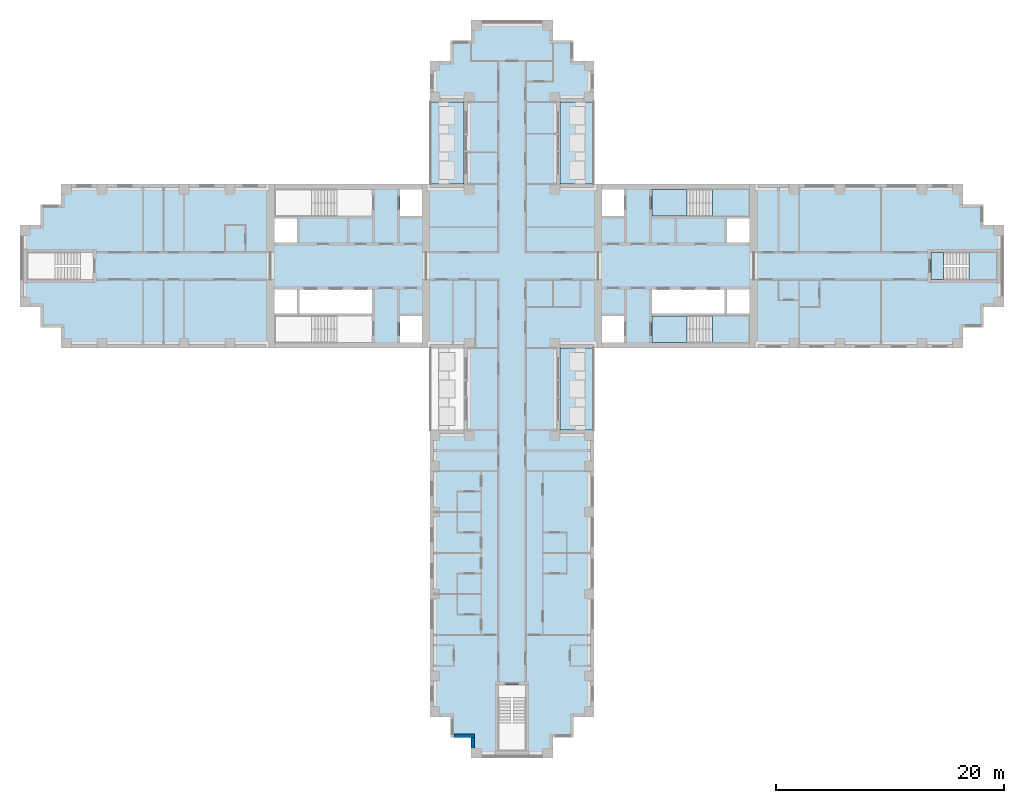
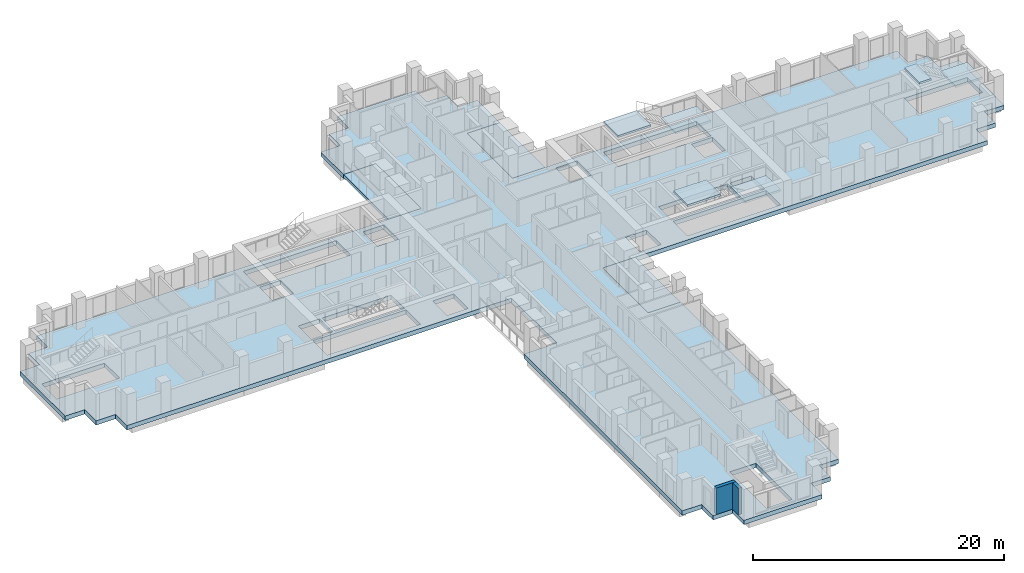
# One storey, part 2 of 13: 10 slabs, 2 walls, 3 elements without a shape of their own.
"""IFC4 building model written with IfcOpenShell, lengths in metres."""

from ifc_helpers import new_model, si_unit, direction, frame, frame_2d, origin, place, context, subcontext, project, spatial, polyline, rectangle, outline, extrude, material, layer, layer_set, type_object, element, aggregate, save


model = new_model("IFC4")

# Units and contexts
model_context = context("Model", 3, precision=1e-05, world=origin(), true_north=direction((0.0, 1.0)))
body_context = subcontext(model_context, "Body", "Model", "MODEL_VIEW")
ifc_project = project(units=[si_unit("LENGTHUNIT", "METRE"), si_unit("AREAUNIT", "SQUARE_METRE"), si_unit("VOLUMEUNIT", "CUBIC_METRE"), si_unit("PLANEANGLEUNIT", "RADIAN"), si_unit("MASSUNIT", "GRAM", prefix="KILO")], contexts=[model_context])

# Site, building, storey
site_placement = place(None, origin())
site = spatial("IfcSite", under=ifc_project, at=site_placement, CompositionType="ELEMENT")
building_placement = place(site_placement, origin())
building = spatial("IfcBuilding", under=site, at=building_placement, Name="Fustian Cross Tower", CompositionType="ELEMENT")
storey_placement = place(building_placement, frame((0.0, 0.0, 105.89990234375)))
storey = spatial("IfcBuildingStorey", under=building, at=storey_placement, Name="L33", CompositionType="ELEMENT", Elevation=105.89990234375)

# Slabs
ifc_material_1 = material(Name="Concrete C40/50", Category="concrete")
ifc_layer_1 = layer(ifc_material_1, 0.300048828125)
ifc_layer_set_1 = layer_set([ifc_layer_1], Name="Concrete C40/50")
slab_type_1 = type_object("IfcSlabType", Name="BS1 BALCONY SLAB 300", PredefinedType="FLOOR", material=ifc_layer_set_1)
slab_1_placement = place(storey_placement, frame((0.0, 0.0, -0.2998046875)))
element("IfcSlab", 1, at=slab_1_placement, inside=storey, type_object=slab_type_1, Name="Balcony slab", PredefinedType="FLOOR", context=body_context, shape_type="SweptSolid", body=[
    extrude(outline(polyline([(4.199951171875, 7.199951171875), (7.199951171875, 7.199951171875), (7.199951171875, 14.39990234375), (4.199951171875, 14.39990234375), (4.199951171875, 7.199951171875)])), origin(), (0.0, 0.0, 1.0), 0.2998046875),
])
slab_2_placement = place(storey_placement, frame((0.0, 0.0, -0.2998046875)))
element("IfcSlab", 2, at=slab_2_placement, inside=storey, type_object=slab_type_1, Name="Balcony slab", PredefinedType="FLOOR", context=body_context, shape_type="SweptSolid", body=[
    extrude(outline(polyline([(-7.199951171875, 7.199951171875), (-4.199951171875, 7.199951171875), (-4.199951171875, 14.39990234375), (-7.199951171875, 14.39990234375), (-7.199951171875, 7.199951171875)])), origin(), (0.0, 0.0, 1.0), 0.2998046875),
])
slab_3_placement = place(storey_placement, frame((0.0, 0.0, -0.2998046875)))
element("IfcSlab", 3, at=slab_3_placement, inside=storey, type_object=slab_type_1, Name="Balcony slab", PredefinedType="FLOOR", context=body_context, shape_type="SweptSolid", body=[
    extrude(outline(polyline([(4.199951171875, -14.39990234375), (7.199951171875, -14.39990234375), (7.199951171875, -7.199951171875), (4.199951171875, -7.199951171875), (4.199951171875, -14.39990234375)])), origin(), (0.0, 0.0, 1.0), 0.2998046875),
])
ifc_material_2 = material(Name="Concrete C40/50", Category="concrete")
ifc_layer_2 = layer(ifc_material_2, 0.425048828125)
ifc_layer_set_2 = layer_set([ifc_layer_2], Name="Concrete C40/50")
slab_type_2 = type_object("IfcSlabType", Name="FLAT SLAB 425", PredefinedType="FLOOR", material=ifc_layer_set_2)
slab_4_placement = place(storey_placement, frame((0.0, 0.0, -0.4248046875)))
element("IfcSlab", 4, at=slab_4_placement, inside=storey, type_object=slab_type_2, Name="FLOOR SLAB L33-1", PredefinedType="FLOOR", context=body_context, shape_type="SweptSolid", body=[
    extrude(outline(polyline([(-4.199951171875, -7.199951171875), (-39.60009765625, -7.199951171875), (-39.60009765625, -5.39990234375), (-41.39990234375, -5.39990234375), (-41.39990234375, -3.60009765625), (-43.199951171875, -3.60009765625), (-43.199951171875, 3.60009765625), (-41.39990234375, 3.60009765625), (-41.39990234375, 5.39990234375), (-39.60009765625, 5.39990234375), (-39.60009765625, 7.199951171875), (-4.199951171875, 7.199951171875), (-4.199951171875, 14.39990234375), (-7.199951171875, 14.39990234375), (-7.199951171875, 18.0), (-5.39990234375, 18.0), (-5.39990234375, 19.800048828125), (-3.60009765625, 19.800048828125), (-3.60009765625, 21.60009765625), (3.60009765625, 21.60009765625), (3.60009765625, 19.800048828125), (5.39990234375, 19.800048828125), (5.39990234375, 18.0), (7.199951171875, 18.0), (7.199951171875, 14.39990234375), (4.199951171875, 14.39990234375), (4.199951171875, 7.199951171875), (39.60009765625, 7.199951171875), (39.60009765625, 5.39990234375), (41.39990234375, 5.39990234375), (41.39990234375, 3.60009765625), (43.199951171875, 3.60009765625), (43.199951171875, -3.60009765625), (41.39990234375, -3.60009765625), (41.39990234375, -5.39990234375), (39.60009765625, -5.39990234375), (39.60009765625, -7.199951171875), (4.199951171875, -7.199951171875), (4.199951171875, -14.39990234375), (7.199951171875, -14.39990234375), (7.199951171875, -39.60009765625), (5.39990234375, -39.60009765625), (5.39990234375, -41.39990234375), (3.60009765625, -41.39990234375), (3.60009765625, -43.199951171875), (-3.60009765625, -43.199951171875), (-3.60009765625, -41.39990234375), (-5.39990234375, -41.39990234375), (-5.39990234375, -39.60009765625), (-7.199951171875, -39.60009765625), (-7.199951171875, -14.39990234375), (-4.199951171875, -14.39990234375), (-4.199951171875, -7.199951171875)]), holes=[polyline([(20.85009765625, -2.050048828125), (18.89990234375, -2.050048828125), (18.89990234375, -4.14990234375), (20.85009765625, -4.14990234375), (20.85009765625, -2.050048828125)]), polyline([(20.85009765625, 2.050048828125), (20.85009765625, 4.14990234375), (18.89990234375, 4.14990234375), (18.89990234375, 2.050048828125), (20.85009765625, 2.050048828125)]), polyline([(7.89990234375, 4.39990234375), (9.85009765625, 4.39990234375), (9.85009765625, 6.699951171875), (7.89990234375, 6.699951171875), (7.89990234375, 4.39990234375)]), polyline([(7.89990234375, -4.39990234375), (7.89990234375, -6.699951171875), (9.85009765625, -6.699951171875), (9.85009765625, -4.39990234375), (7.89990234375, -4.39990234375)]), polyline([(-18.89990234375, -2.050048828125), (-20.85009765625, -2.050048828125), (-20.85009765625, -4.14990234375), (-18.89990234375, -4.14990234375), (-18.89990234375, -2.050048828125)]), polyline([(-18.89990234375, 2.050048828125), (-18.89990234375, 4.14990234375), (-20.85009765625, 4.14990234375), (-20.85009765625, 2.050048828125), (-18.89990234375, 2.050048828125)]), polyline([(-9.85009765625, 4.39990234375), (-7.89990234375, 4.39990234375), (-7.89990234375, 6.699951171875), (-9.85009765625, 6.699951171875), (-9.85009765625, 4.39990234375)]), polyline([(-9.85009765625, -4.39990234375), (-9.85009765625, -6.699951171875), (-7.89990234375, -6.699951171875), (-7.89990234375, -4.39990234375), (-9.85009765625, -4.39990234375)]), polyline([(18.64990234375, -2.050048828125), (12.300048828125, -2.050048828125), (12.300048828125, -4.14990234375), (18.64990234375, -4.14990234375), (18.64990234375, -2.050048828125)]), polyline([(-12.300048828125, -4.14990234375), (-12.300048828125, -2.050048828125), (-18.64990234375, -2.050048828125), (-18.64990234375, -4.14990234375), (-12.300048828125, -4.14990234375)]), polyline([(12.300048828125, 4.39990234375), (20.85009765625, 4.39990234375), (20.85009765625, 6.699951171875), (12.300048828125, 6.699951171875), (12.300048828125, 4.39990234375)]), polyline([(12.300048828125, -4.39990234375), (12.300048828125, -6.699951171875), (20.85009765625, -6.699951171875), (20.85009765625, -4.39990234375), (12.300048828125, -4.39990234375)]), polyline([(-12.300048828125, 6.699951171875), (-20.85009765625, 6.699951171875), (-20.85009765625, 4.39990234375), (-12.300048828125, 4.39990234375), (-12.300048828125, 6.699951171875)]), polyline([(-12.300048828125, -6.699951171875), (-12.300048828125, -4.39990234375), (-20.85009765625, -4.39990234375), (-20.85009765625, -6.699951171875), (-12.300048828125, -6.699951171875)]), polyline([(-1.199951171875, -42.60009765625), (1.199951171875, -42.60009765625), (1.199951171875, -36.800048828125), (-1.199951171875, -36.800048828125), (-1.199951171875, -42.60009765625)]), polyline([(36.800048828125, 1.199951171875), (36.800048828125, -1.199951171875), (42.60009765625, -1.199951171875), (42.60009765625, 1.199951171875), (36.800048828125, 1.199951171875)]), polyline([(-36.800048828125, 1.199951171875), (-42.60009765625, 1.199951171875), (-42.60009765625, -1.199951171875), (-36.800048828125, -1.199951171875), (-36.800048828125, 1.199951171875)])]), origin(), (0.0, 0.0, 1.0), 0.4248046875),
])

# Stair, slabs
ifc_material_3 = material(Name="Concrete C50/60", Category="concrete")
stair_type_1 = type_object("IfcStairType", Name="STAIR 1150 HALF TURN", PredefinedType="HALF_TURN_STAIR", material=ifc_material_3)
stair_1_placement = place(storey_placement, origin())
stair_1 = element("IfcStair", 5, at=stair_1_placement, inside=storey, type_object=stair_type_1, Name="Stair ST1", PredefinedType="HALF_TURN_STAIR")
ifc_material_4 = material(Name="Concrete C50/60", Category="concrete")
ifc_layer_3 = layer(ifc_material_4, 0.199951171875)
ifc_layer_set_3 = layer_set([ifc_layer_3], Name="Concrete C50/60")
slab_type_3 = type_object("IfcSlabType", Name="STAIR LANDING", PredefinedType="LANDING", material=ifc_layer_set_3)
slab_5_placement = place(storey_placement, frame((0.0, 0.0, 1.300048828125)))
slab_5 = element("IfcSlab", 6, at=slab_5_placement, type_object=slab_type_3, Name="ST1 landing 1", PredefinedType="LANDING", context=body_context, shape_type="SweptSolid", body=[
    extrude(outline(polyline([(17.590087890625, 4.39990234375), (20.85009765625, 4.39990234375), (20.85009765625, 6.699951171875), (17.590087890625, 6.699951171875), (17.590087890625, 4.39990234375)])), origin(), (0.0, 0.0, 1.0), 0.199951171875),
])
slab_6_placement = place(storey_placement, frame((0.0, 0.0, 2.800048828125)))
slab_6 = element("IfcSlab", 7, at=slab_6_placement, type_object=slab_type_3, Name="ST1 landing 2", PredefinedType="LANDING", context=body_context, shape_type="SweptSolid", body=[
    extrude(outline(polyline([(12.300048828125, 4.39990234375), (15.35009765625, 4.39990234375), (15.35009765625, 6.699951171875), (12.300048828125, 6.699951171875), (12.300048828125, 4.39990234375)])), origin(), (0.0, 0.0, 1.0), 0.199951171875),
])
aggregate(stair_1, [slab_5, slab_6])

stair_2_placement = place(storey_placement, origin())
stair_2 = element("IfcStair", 8, at=stair_2_placement, inside=storey, type_object=stair_type_1, Name="Stair ST2", PredefinedType="HALF_TURN_STAIR")
slab_7_placement = place(storey_placement, frame((0.0, 0.0, 1.300048828125)))
slab_7 = element("IfcSlab", 9, at=slab_7_placement, type_object=slab_type_3, Name="ST2 landing 1", PredefinedType="LANDING", context=body_context, shape_type="SweptSolid", body=[
    extrude(outline(polyline([(17.590087890625, -4.39990234375), (20.85009765625, -4.39990234375), (20.85009765625, -6.699951171875), (17.590087890625, -6.699951171875), (17.590087890625, -4.39990234375)])), origin(), (0.0, 0.0, 1.0), 0.199951171875),
])
slab_8_placement = place(storey_placement, frame((0.0, 0.0, 2.800048828125)))
slab_8 = element("IfcSlab", 10, at=slab_8_placement, type_object=slab_type_3, Name="ST2 landing 2", PredefinedType="LANDING", context=body_context, shape_type="SweptSolid", body=[
    extrude(outline(polyline([(12.300048828125, -4.39990234375), (15.35009765625, -4.39990234375), (15.35009765625, -6.699951171875), (12.300048828125, -6.699951171875), (12.300048828125, -4.39990234375)])), origin(), (0.0, 0.0, 1.0), 0.199951171875),
])
aggregate(stair_2, [slab_7, slab_8])

ifc_material_5 = material(Name="Concrete C50/60", Category="concrete")
stair_type_2 = type_object("IfcStairType", Name="STAIR 1100 HALF TURN", PredefinedType="HALF_TURN_STAIR", material=ifc_material_5)
stair_3_placement = place(storey_placement, origin())
stair_3 = element("IfcStair", 11, at=stair_3_placement, inside=storey, type_object=stair_type_2, Name="Stair ST8", PredefinedType="HALF_TURN_STAIR")
slab_9_placement = place(storey_placement, frame((0.0, 0.0, 1.300048828125)))
slab_9 = element("IfcSlab", 12, at=slab_9_placement, type_object=slab_type_3, Name="ST8 landing 1", PredefinedType="LANDING", context=body_context, shape_type="SweptSolid", body=[
    extrude(outline(polyline([(40.139892578125, -1.199951171875), (42.60009765625, -1.199951171875), (42.60009765625, 1.199951171875), (40.139892578125, 1.199951171875), (40.139892578125, -1.199951171875)])), origin(), (0.0, 0.0, 1.0), 0.199951171875),
])
slab_10_placement = place(storey_placement, frame((0.0, 0.0, 2.800048828125)))
slab_10 = element("IfcSlab", 13, at=slab_10_placement, type_object=slab_type_3, Name="ST8 landing 2", PredefinedType="LANDING", context=body_context, shape_type="SweptSolid", body=[
    extrude(outline(polyline([(36.800048828125, -1.199951171875), (37.89990234375, -1.199951171875), (37.89990234375, 1.199951171875), (36.800048828125, 1.199951171875), (36.800048828125, -1.199951171875)])), origin(), (0.0, 0.0, 1.0), 0.199951171875),
])
aggregate(stair_3, [slab_9, slab_10])

# Walls
ifc_material_6 = material(Name="Dark aluminium cladding on insulated backing wall", Category="aluminium")
ifc_layer_4 = layer(ifc_material_6, 0.300048828125)
ifc_layer_set_4 = layer_set([ifc_layer_4], Name="Dark aluminium cladding on insulated backing wall")
wall_type = type_object("IfcWallType", Name="XW1 EXTERNAL WALL 300", PredefinedType="SOLIDWALL", material=ifc_layer_set_4)
wall_1_placement = place(storey_placement, frame((-5.10009765625, -41.25, 0.0), z_axis=(0.0, 0.0, 1.0), x_axis=(1.0, 0.0, 0.0)))
element("IfcWall", 14, at=wall_1_placement, inside=storey, type_object=wall_type, Name="External wall", PredefinedType="SOLIDWALL", context=body_context, shape_type="SweptSolid", body=[
    extrude(rectangle(XDim=1.800048828125, YDim=0.300048828125, at=frame_2d((0.89990234375, 0.0))), origin(), (0.0, 0.0, 1.0), 2.5751953125),
])
wall_2_placement = place(storey_placement, frame((-3.449951171875, -41.39990234375, 0.0), z_axis=(0.0, 0.0, 1.0), x_axis=(0.0, -1.0, 0.0)))
element("IfcWall", 15, at=wall_2_placement, inside=storey, type_object=wall_type, Name="External wall", PredefinedType="SOLIDWALL", context=body_context, shape_type="SweptSolid", body=[
    extrude(rectangle(XDim=0.900146484375, YDim=0.300048828125, at=frame_2d((0.4501953125, 0.0))), origin(), (0.0, 0.0, 1.0), 2.5751953125),
])

save(model, "model.ifc")
